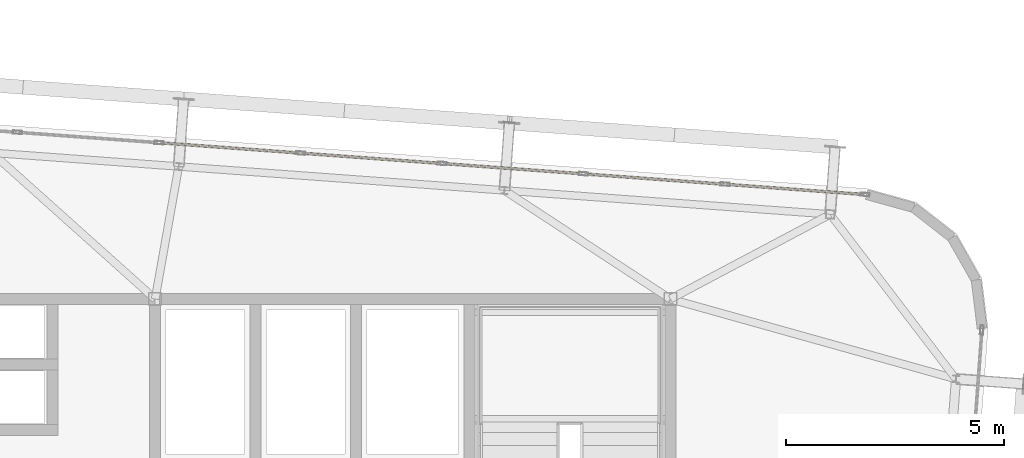
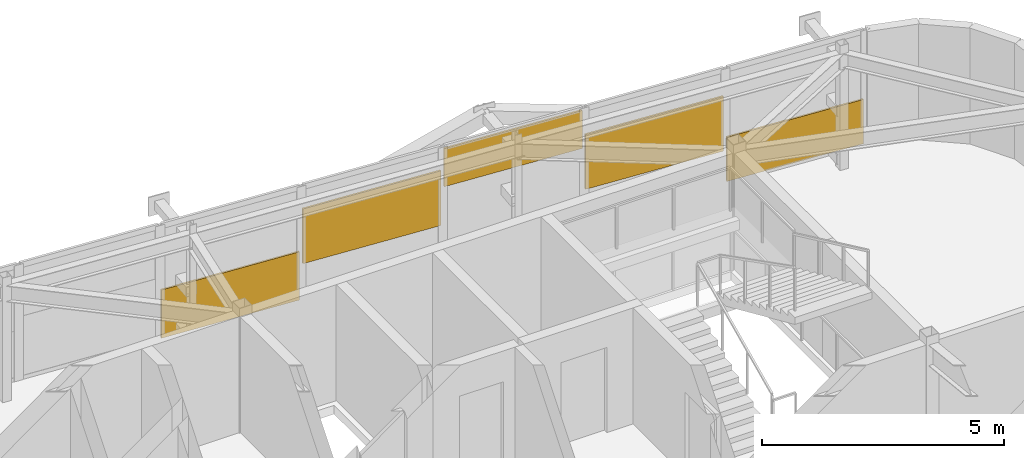
# One storey, part 42 of 42: 5 coverings.
"""IFC4 building model written with IfcOpenShell, lengths in metres."""

from ifc_helpers import new_model, si_unit, direction, frame, origin, origin_2d, place, context, subcontext, project, spatial, rectangle, extrude, source, transform, mapped, material, layer, layer_set, type_object, element, save


model = new_model("IFC4")

# Units and contexts
model_context = context("Model", 3, precision=1e-05, world=origin(), true_north=direction((0.0, 1.0)))
body_context = subcontext(model_context, "Body", "Model", "MODEL_VIEW")
ifc_project = project(units=[si_unit("LENGTHUNIT", "METRE"), si_unit("AREAUNIT", "SQUARE_METRE"), si_unit("VOLUMEUNIT", "CUBIC_METRE"), si_unit("PLANEANGLEUNIT", "RADIAN"), si_unit("MASSUNIT", "GRAM", prefix="KILO")], contexts=[model_context])

# Site, building, storey
site_placement = place(None, origin())
site = spatial("IfcSite", under=ifc_project, at=site_placement, CompositionType="ELEMENT")
building_placement = place(site_placement, origin())
building = spatial("IfcBuilding", under=site, at=building_placement, Name="Taldren Reach Tower", CompositionType="ELEMENT")
storey_placement = place(building_placement, frame((0.0, 0.0, 220.85009765625)))
storey = spatial("IfcBuildingStorey", under=building, at=storey_placement, Name="L67", CompositionType="ELEMENT", Elevation=220.85009765625)

# Coverings
ifc_material = material(Name="Pale Champagne Fluoropolymer Aluminium Spandrel Cladding", Category="aluminium")
ifc_layer = layer(ifc_material, 0.0439453125)
ifc_layer_set = layer_set([ifc_layer], Name="Pale Champagne Fluoropolymer Aluminium Spandrel Cladding")
covering_type = type_object("IfcCoveringType", Name="CV-CLAD-044", PredefinedType="CLADDING", material=ifc_layer_set)
shared_shape_1 = source(origin(), body_context, "Body", "SweptSolid", [
    extrude(rectangle(XDim=3.175048828125, YDim=0.0439453125, at=origin_2d()), origin(), (0.0, 0.0, 1.0), 1.383056640625),
])
for number, where, z_axis, x_axis, name in (
    (1, (50.632568359375, 34.746826171875, 0.85205078125), (0.0, 0.0, 1.0), (-0.997314476006, 0.073238213716, 0.0), "Diagrid closure cladding strip CW-6 panel 2.1 1"),
    (2, (44.150146484375, 35.222900390625, 0.953125), (0.0, 0.0, 1.0), (-0.997314476006, 0.073238213716, 0.0), "Diagrid closure cladding strip CW-6 panel 4.1 1"),
):
    element("IfcCovering", number, at=place(storey_placement, frame(where, z_axis=z_axis, x_axis=x_axis)), inside=storey, type_object=covering_type, Name=name, PredefinedType="CLADDING", context=body_context, shape_type="MappedRepresentation", body=[
        mapped(shared_shape_1, transform((0.0, 0.0, 0.0), scale=1.0)),
    ])
shared_shape_2 = source(origin(), body_context, "Body", "SweptSolid", [
    extrude(rectangle(XDim=3.175048828125, YDim=0.0439453125, at=origin_2d()), origin(), (0.0, 0.0, 1.0), 1.22021484375),
])
covering_1_placement = place(storey_placement, frame((40.908935546875, 35.4609375, 0.06005859375), z_axis=(0.0, 0.0, 1.0), x_axis=(-0.997314476006, 0.073238213716, 0.0)))
element("IfcCovering", 3, at=covering_1_placement, inside=storey, type_object=covering_type, Name="Diagrid closure cladding strip CW-6 panel 5.1 1", PredefinedType="CLADDING", context=body_context, shape_type="MappedRepresentation", body=[
    mapped(shared_shape_2, transform((0.0, 0.0, 0.0), scale=1.0)),
])
shared_shape_3 = source(origin(), body_context, "Body", "SweptSolid", [
    extrude(rectangle(XDim=3.175048828125, YDim=0.0439453125, at=origin_2d()), origin(), (0.0, 0.0, 1.0), 0.9619140625),
])
covering_2_placement = place(storey_placement, frame((47.391357421875, 34.98486328125, 1.907958984375), z_axis=(0.0, 0.0, 1.0), x_axis=(-0.997314476006, 0.073238213716, 0.0)))
element("IfcCovering", 4, at=covering_2_placement, inside=storey, type_object=covering_type, Name="Diagrid closure cladding strip CW-6 panel 3.1 1", PredefinedType="CLADDING", context=body_context, shape_type="MappedRepresentation", body=[
    mapped(shared_shape_3, transform((0.0, 0.0, 0.0), scale=1.0)),
])
shared_shape_4 = source(origin(), body_context, "Body", "SweptSolid", [
    extrude(rectangle(XDim=3.137451171875, YDim=0.0439453125, at=origin_2d()), origin(), (0.0, 0.0, 1.0), 1.11962890625),
])
covering_3_placement = place(storey_placement, frame((53.855224609375, 34.51025390625, 0.059814453125), z_axis=(0.0, 0.0, 1.0), x_axis=(-0.997314476006, 0.073238213716, 0.0)))
element("IfcCovering", 5, at=covering_3_placement, inside=storey, type_object=covering_type, Name="Diagrid closure cladding strip CW-6 panel 1.1 1", PredefinedType="CLADDING", context=body_context, shape_type="MappedRepresentation", body=[
    mapped(shared_shape_4, transform((0.0, 0.0, 0.0), scale=1.0)),
])

save(model, "model.ifc")
